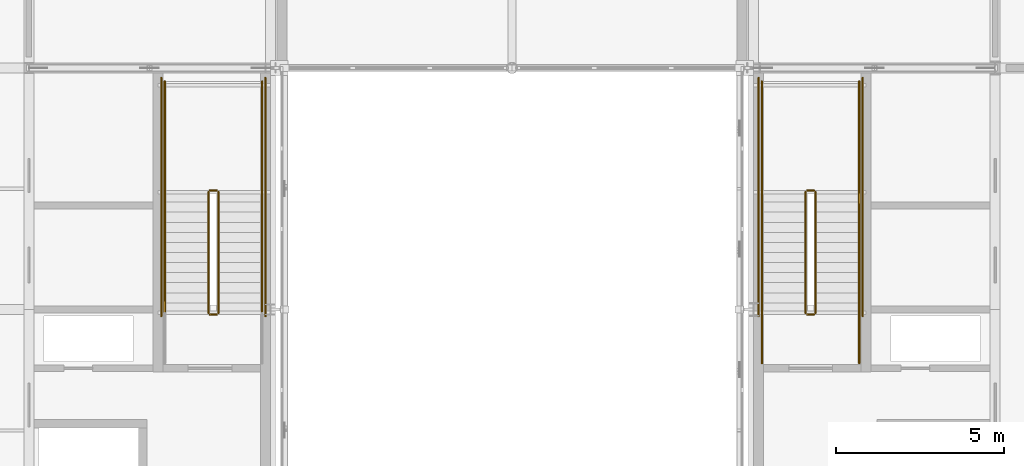
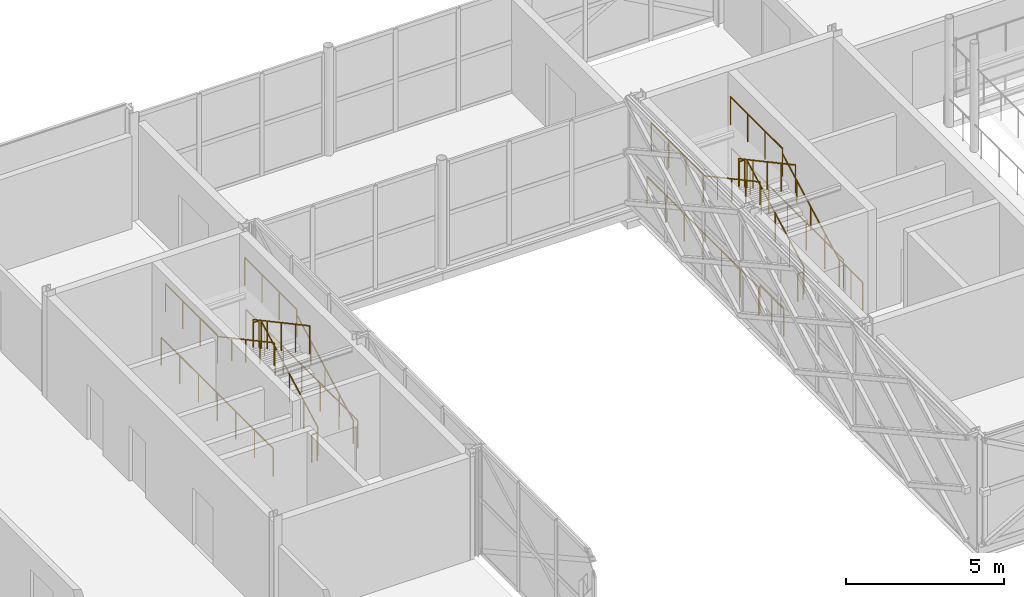
# One storey, part 135 of 146: 22 railings.
"""IFC4 building model written with IfcOpenShell, lengths in metres."""

from ifc_helpers import new_model, si_unit, direction, frame, origin, origin_2d, place, context, subcontext, project, spatial, circle, extrude, material, type_object, element, save


model = new_model("IFC4")

# Units and contexts
model_context = context("Model", 3, precision=1e-05, world=origin(), true_north=direction((0.0, 1.0)))
body_context = subcontext(model_context, "Body", "Model", "MODEL_VIEW")
ifc_project = project(units=[si_unit("LENGTHUNIT", "METRE"), si_unit("AREAUNIT", "SQUARE_METRE"), si_unit("VOLUMEUNIT", "CUBIC_METRE"), si_unit("PLANEANGLEUNIT", "RADIAN"), si_unit("MASSUNIT", "GRAM", prefix="KILO")], contexts=[model_context])

# Site, building, storey
site_placement = place(None, origin())
site = spatial("IfcSite", under=ifc_project, at=site_placement, CompositionType="ELEMENT")
building_placement = place(site_placement, origin())
building = spatial("IfcBuilding", under=site, at=building_placement, Name="Zlatovets Crest Museum", CompositionType="ELEMENT")
storey_placement = place(building_placement, frame((0.0, 0.0, 4.5)))
storey = spatial("IfcBuildingStorey", under=building, at=storey_placement, Name="L01", CompositionType="ELEMENT", Elevation=4.5)

# Railings
ifc_material_1 = material(Name="Painted steel safety guardrail", Category="steel")
railing_type_1 = type_object("IfcRailingType", Name="StairGuard_SG01", PredefinedType="GUARDRAIL", material=ifc_material_1)
railing_1_placement = place(storey_placement, frame((59.449951171875, 14.300048828125, 0.16162109375)))
element("IfcRailing", 1, at=railing_1_placement, inside=storey, type_object=railing_type_1, Name="L01 ST2 stair guard 1", PredefinedType="GUARDRAIL", context=body_context, shape_type="SweptSolid", body=[
    extrude(circle(Radius=0.02392578125, at=origin_2d()), frame((0.0, 0.0, 1.076171875), z_axis=(0.0, 0.880461512865, 0.474117627138), x_axis=(-1.0, 0.0, 0.0)), (0.0, 0.0, 1.0), 4.088623046875),
    extrude(circle(Radius=0.02099609375, at=origin_2d()), origin(), (0.0, 0.0, 1.0), 1.052001953125),
    extrude(circle(Radius=0.02099609375, at=origin_2d()), frame((0.0, 0.89990234375, 0.484619140625)), (0.0, 0.0, 1.0), 1.052001953125),
    extrude(circle(Radius=0.02099609375, at=origin_2d()), frame((0.0, 1.7998046875, 0.96923828125)), (0.0, 0.0, 1.0), 1.052001953125),
    extrude(circle(Radius=0.02099609375, at=origin_2d()), frame((0.0, 2.699951171875, 1.453857421875)), (0.0, 0.0, 1.0), 1.052001953125),
    extrude(circle(Radius=0.02099609375, at=origin_2d()), frame((0.0, 3.599853515625, 1.9384765625)), (0.0, 0.0, 1.0), 1.052001953125),
])
railing_2_placement = place(storey_placement, frame((59.39990234375, 17.949951171875, 2.10009765625)))
element("IfcRailing", 2, at=railing_2_placement, inside=storey, type_object=railing_type_1, Name="L01 ST2 stair guard 2", PredefinedType="GUARDRAIL", context=body_context, shape_type="SweptSolid", body=[
    extrude(circle(Radius=0.02392578125, at=origin_2d()), frame((0.0, 0.0, 1.076171875), z_axis=(-1.0, 0.0, 0.0), x_axis=(0.0, -1.0, 0.0)), (0.0, 0.0, 1.0), 0.199951171875),
    extrude(circle(Radius=0.02099609375, at=origin_2d()), origin(), (0.0, 0.0, 1.0), 1.052001953125),
    extrude(circle(Radius=0.02099609375, at=origin_2d()), frame((-0.199951171875, 0.0, 0.0)), (0.0, 0.0, 1.0), 1.052001953125),
])
for number, where, name in (
    (3, (60.75, 17.89990234375, 2.10009765625), "L01 ST2 stair guard 3"),
    (4, (57.85009765625, 17.89990234375, 2.10009765625), "L01 ST2 stair guard 4"),
):
    element("IfcRailing", number, at=place(storey_placement, frame(where)), inside=storey, type_object=railing_type_1, Name=name, PredefinedType="GUARDRAIL", context=body_context, shape_type="SweptSolid", body=[
        extrude(circle(Radius=0.02392578125, at=origin_2d()), frame((0.0, 0.0, 1.076171875), z_axis=(0.0, 1.0, 0.0), x_axis=(-1.0, 0.0, 0.0)), (0.0, 0.0, 1.0), 3.300048828125),
        extrude(circle(Radius=0.02099609375, at=origin_2d()), origin(), (0.0, 0.0, 1.0), 1.052001953125),
        extrude(circle(Radius=0.02099609375, at=origin_2d()), frame((0.0, 1.10009765625, 0.0)), (0.0, 0.0, 1.0), 1.052001953125),
        extrude(circle(Radius=0.02099609375, at=origin_2d()), frame((0.0, 2.199951171875, 0.0)), (0.0, 0.0, 1.0), 1.052001953125),
        extrude(circle(Radius=0.02099609375, at=origin_2d()), frame((0.0, 3.300048828125, 0.0)), (0.0, 0.0, 1.0), 1.052001953125),
    ])
railing_3_placement = place(storey_placement, frame((59.14990234375, 17.89990234375, 2.261474609375)))
element("IfcRailing", 5, at=railing_3_placement, inside=storey, type_object=railing_type_1, Name="L01 ST2 stair guard 5", PredefinedType="GUARDRAIL", context=body_context, shape_type="SweptSolid", body=[
    extrude(circle(Radius=0.02392578125, at=origin_2d()), frame((0.0, 0.0, 1.076171875), z_axis=(0.0, -0.880461512865, 0.474117627138), x_axis=(1.0, 0.0, 0.0)), (0.0, 0.0, 1.0), 4.088623046875),
    extrude(circle(Radius=0.02099609375, at=origin_2d()), origin(), (0.0, 0.0, 1.0), 1.052001953125),
    extrude(circle(Radius=0.02099609375, at=origin_2d()), frame((0.0, -0.89990234375, 0.484619140625)), (0.0, 0.0, 1.0), 1.052001953125),
    extrude(circle(Radius=0.02099609375, at=origin_2d()), frame((0.0, -1.7998046875, 0.96923828125)), (0.0, 0.0, 1.0), 1.052001953125),
    extrude(circle(Radius=0.02099609375, at=origin_2d()), frame((0.0, -2.699951171875, 1.453857421875)), (0.0, 0.0, 1.0), 1.052001953125),
    extrude(circle(Radius=0.02099609375, at=origin_2d()), frame((0.0, -3.599853515625, 1.9384765625)), (0.0, 0.0, 1.0), 1.052001953125),
])
railing_4_placement = place(storey_placement, frame((59.39990234375, 14.25, 0.0)))
element("IfcRailing", 6, at=railing_4_placement, inside=storey, type_object=railing_type_1, Name="L01 ST2 stair guard 6", PredefinedType="GUARDRAIL", context=body_context, shape_type="SweptSolid", body=[
    extrude(circle(Radius=0.02392578125, at=origin_2d()), frame((0.0, 0.0, 1.076171875), z_axis=(-1.0, 0.0, 0.0), x_axis=(0.0, -1.0, 0.0)), (0.0, 0.0, 1.0), 0.199951171875),
    extrude(circle(Radius=0.02099609375, at=origin_2d()), origin(), (0.0, 0.0, 1.0), 1.052001953125),
    extrude(circle(Radius=0.02099609375, at=origin_2d()), frame((-0.199951171875, 0.0, 0.0)), (0.0, 0.0, 1.0), 1.052001953125),
])
for number, where, name in (
    (7, (60.75, 12.800048828125, 0.0), "L01 ST2 stair guard 7"),
    (8, (57.85009765625, 12.800048828125, 0.0), "L01 ST2 stair guard 8"),
):
    element("IfcRailing", number, at=place(storey_placement, frame(where)), inside=storey, type_object=railing_type_1, Name=name, PredefinedType="GUARDRAIL", context=body_context, shape_type="SweptSolid", body=[
        extrude(circle(Radius=0.02392578125, at=origin_2d()), frame((0.0, 0.0, 1.076171875), z_axis=(0.0, 1.0, 0.0), x_axis=(-1.0, 0.0, 0.0)), (0.0, 0.0, 1.0), 1.5),
        extrude(circle(Radius=0.02099609375, at=origin_2d()), origin(), (0.0, 0.0, 1.0), 1.052001953125),
        extrude(circle(Radius=0.02099609375, at=origin_2d()), frame((0.0, 0.75, 0.0)), (0.0, 0.0, 1.0), 1.052001953125),
        extrude(circle(Radius=0.02099609375, at=origin_2d()), frame((0.0, 1.5, 0.0)), (0.0, 0.0, 1.0), 1.052001953125),
    ])
for number, where, name in (
    (9, (60.85009765625, 14.199951171875, 0.0), "L01 ST2 stair guard 9"),
    (10, (57.75, 14.199951171875, 0.0), "L01 ST2 stair guard 10"),
):
    element("IfcRailing", number, at=place(storey_placement, frame(where)), inside=storey, type_object=railing_type_1, Name=name, PredefinedType="GUARDRAIL", context=body_context, shape_type="SweptSolid", body=[
        extrude(circle(Radius=0.02392578125, at=origin_2d()), frame((0.0, 0.0, 1.076171875), z_axis=(0.0, 1.0, 0.0), x_axis=(-1.0, 0.0, 0.0)), (0.0, 0.0, 1.0), 7.10009765625),
        extrude(circle(Radius=0.02099609375, at=origin_2d()), origin(), (0.0, 0.0, 1.0), 1.052001953125),
        extrude(circle(Radius=0.02099609375, at=origin_2d()), frame((0.0, 1.183349609375, 0.0)), (0.0, 0.0, 1.0), 1.052001953125),
        extrude(circle(Radius=0.02099609375, at=origin_2d()), frame((0.0, 2.36669921875, 0.0)), (0.0, 0.0, 1.0), 1.052001953125),
        extrude(circle(Radius=0.02099609375, at=origin_2d()), frame((0.0, 3.550048828125, 0.0)), (0.0, 0.0, 1.0), 1.052001953125),
        extrude(circle(Radius=0.02099609375, at=origin_2d()), frame((0.0, 4.7333984375, 0.0)), (0.0, 0.0, 1.0), 1.052001953125),
        extrude(circle(Radius=0.02099609375, at=origin_2d()), frame((0.0, 5.916748046875, 0.0)), (0.0, 0.0, 1.0), 1.052001953125),
        extrude(circle(Radius=0.02099609375, at=origin_2d()), frame((0.0, 7.10009765625, 0.0)), (0.0, 0.0, 1.0), 1.052001953125),
    ])
railing_5_placement = place(storey_placement, frame((41.64990234375, 14.300048828125, 0.16162109375)))
element("IfcRailing", 11, at=railing_5_placement, inside=storey, type_object=railing_type_1, Name="L01 ST3 stair guard 1", PredefinedType="GUARDRAIL", context=body_context, shape_type="SweptSolid", body=[
    extrude(circle(Radius=0.02392578125, at=origin_2d()), frame((0.0, 0.0, 1.076171875), z_axis=(0.0, 0.880461512865, 0.474117627138), x_axis=(-1.0, 0.0, 0.0)), (0.0, 0.0, 1.0), 4.088623046875),
    extrude(circle(Radius=0.02099609375, at=origin_2d()), origin(), (0.0, 0.0, 1.0), 1.052001953125),
    extrude(circle(Radius=0.02099609375, at=origin_2d()), frame((0.0, 0.89990234375, 0.484619140625)), (0.0, 0.0, 1.0), 1.052001953125),
    extrude(circle(Radius=0.02099609375, at=origin_2d()), frame((0.0, 1.7998046875, 0.96923828125)), (0.0, 0.0, 1.0), 1.052001953125),
    extrude(circle(Radius=0.02099609375, at=origin_2d()), frame((0.0, 2.699951171875, 1.453857421875)), (0.0, 0.0, 1.0), 1.052001953125),
    extrude(circle(Radius=0.02099609375, at=origin_2d()), frame((0.0, 3.599853515625, 1.9384765625)), (0.0, 0.0, 1.0), 1.052001953125),
])
railing_6_placement = place(storey_placement, frame((41.60009765625, 17.949951171875, 2.10009765625)))
element("IfcRailing", 12, at=railing_6_placement, inside=storey, type_object=railing_type_1, Name="L01 ST3 stair guard 2", PredefinedType="GUARDRAIL", context=body_context, shape_type="SweptSolid", body=[
    extrude(circle(Radius=0.02392578125, at=origin_2d()), frame((0.0, 0.0, 1.076171875), z_axis=(-1.0, 0.0, 0.0), x_axis=(0.0, -1.0, 0.0)), (0.0, 0.0, 1.0), 0.2001953125),
    extrude(circle(Radius=0.02099609375, at=origin_2d()), origin(), (0.0, 0.0, 1.0), 1.052001953125),
    extrude(circle(Radius=0.02099609375, at=origin_2d()), frame((-0.2001953125, 0.0, 0.0)), (0.0, 0.0, 1.0), 1.052001953125),
])
for number, where, name in (
    (13, (42.949951171875, 17.89990234375, 2.10009765625), "L01 ST3 stair guard 3"),
    (14, (40.050048828125, 17.89990234375, 2.10009765625), "L01 ST3 stair guard 4"),
):
    element("IfcRailing", number, at=place(storey_placement, frame(where)), inside=storey, type_object=railing_type_1, Name=name, PredefinedType="GUARDRAIL", context=body_context, shape_type="SweptSolid", body=[
        extrude(circle(Radius=0.02392578125, at=origin_2d()), frame((0.0, 0.0, 1.076171875), z_axis=(0.0, 1.0, 0.0), x_axis=(-1.0, 0.0, 0.0)), (0.0, 0.0, 1.0), 3.300048828125),
        extrude(circle(Radius=0.02099609375, at=origin_2d()), origin(), (0.0, 0.0, 1.0), 1.052001953125),
        extrude(circle(Radius=0.02099609375, at=origin_2d()), frame((0.0, 1.10009765625, 0.0)), (0.0, 0.0, 1.0), 1.052001953125),
        extrude(circle(Radius=0.02099609375, at=origin_2d()), frame((0.0, 2.199951171875, 0.0)), (0.0, 0.0, 1.0), 1.052001953125),
        extrude(circle(Radius=0.02099609375, at=origin_2d()), frame((0.0, 3.300048828125, 0.0)), (0.0, 0.0, 1.0), 1.052001953125),
    ])
railing_7_placement = place(storey_placement, frame((41.35009765625, 17.89990234375, 2.261474609375)))
element("IfcRailing", 15, at=railing_7_placement, inside=storey, type_object=railing_type_1, Name="L01 ST3 stair guard 5", PredefinedType="GUARDRAIL", context=body_context, shape_type="SweptSolid", body=[
    extrude(circle(Radius=0.02392578125, at=origin_2d()), frame((0.0, 0.0, 1.076171875), z_axis=(0.0, -0.880461512865, 0.474117627138), x_axis=(1.0, 0.0, 0.0)), (0.0, 0.0, 1.0), 4.088623046875),
    extrude(circle(Radius=0.02099609375, at=origin_2d()), origin(), (0.0, 0.0, 1.0), 1.052001953125),
    extrude(circle(Radius=0.02099609375, at=origin_2d()), frame((0.0, -0.89990234375, 0.484619140625)), (0.0, 0.0, 1.0), 1.052001953125),
    extrude(circle(Radius=0.02099609375, at=origin_2d()), frame((0.0, -1.7998046875, 0.96923828125)), (0.0, 0.0, 1.0), 1.052001953125),
    extrude(circle(Radius=0.02099609375, at=origin_2d()), frame((0.0, -2.699951171875, 1.453857421875)), (0.0, 0.0, 1.0), 1.052001953125),
    extrude(circle(Radius=0.02099609375, at=origin_2d()), frame((0.0, -3.599853515625, 1.9384765625)), (0.0, 0.0, 1.0), 1.052001953125),
])
railing_8_placement = place(storey_placement, frame((41.60009765625, 14.25, 0.0)))
element("IfcRailing", 16, at=railing_8_placement, inside=storey, type_object=railing_type_1, Name="L01 ST3 stair guard 6", PredefinedType="GUARDRAIL", context=body_context, shape_type="SweptSolid", body=[
    extrude(circle(Radius=0.02392578125, at=origin_2d()), frame((0.0, 0.0, 1.076171875), z_axis=(-1.0, 0.0, 0.0), x_axis=(0.0, -1.0, 0.0)), (0.0, 0.0, 1.0), 0.2001953125),
    extrude(circle(Radius=0.02099609375, at=origin_2d()), origin(), (0.0, 0.0, 1.0), 1.052001953125),
    extrude(circle(Radius=0.02099609375, at=origin_2d()), frame((-0.2001953125, 0.0, 0.0)), (0.0, 0.0, 1.0), 1.052001953125),
])
for number, where, name in (
    (17, (43.050048828125, 14.199951171875, 0.0), "L01 ST3 stair guard 9"),
    (18, (39.949951171875, 14.199951171875, 0.0), "L01 ST3 stair guard 10"),
):
    element("IfcRailing", number, at=place(storey_placement, frame(where)), inside=storey, type_object=railing_type_1, Name=name, PredefinedType="GUARDRAIL", context=body_context, shape_type="SweptSolid", body=[
        extrude(circle(Radius=0.02392578125, at=origin_2d()), frame((0.0, 0.0, 1.076171875), z_axis=(0.0, 1.0, 0.0), x_axis=(-1.0, 0.0, 0.0)), (0.0, 0.0, 1.0), 7.10009765625),
        extrude(circle(Radius=0.02099609375, at=origin_2d()), origin(), (0.0, 0.0, 1.0), 1.052001953125),
        extrude(circle(Radius=0.02099609375, at=origin_2d()), frame((0.0, 1.183349609375, 0.0)), (0.0, 0.0, 1.0), 1.052001953125),
        extrude(circle(Radius=0.02099609375, at=origin_2d()), frame((0.0, 2.36669921875, 0.0)), (0.0, 0.0, 1.0), 1.052001953125),
        extrude(circle(Radius=0.02099609375, at=origin_2d()), frame((0.0, 3.550048828125, 0.0)), (0.0, 0.0, 1.0), 1.052001953125),
        extrude(circle(Radius=0.02099609375, at=origin_2d()), frame((0.0, 4.7333984375, 0.0)), (0.0, 0.0, 1.0), 1.052001953125),
        extrude(circle(Radius=0.02099609375, at=origin_2d()), frame((0.0, 5.916748046875, 0.0)), (0.0, 0.0, 1.0), 1.052001953125),
        extrude(circle(Radius=0.02099609375, at=origin_2d()), frame((0.0, 7.10009765625, 0.0)), (0.0, 0.0, 1.0), 1.052001953125),
    ])
ifc_material_2 = material(Name="Brushed bronze stair handrail")
railing_type_2 = type_object("IfcRailingType", Name="StairHandrail_SH01", PredefinedType="HANDRAIL", material=ifc_material_2)
railing_9_placement = place(storey_placement, frame((60.75, 14.300048828125, 0.16162109375)))
element("IfcRailing", 19, at=railing_9_placement, inside=storey, type_object=railing_type_2, Name="L01 ST2 stair handrail 1", PredefinedType="HANDRAIL", context=body_context, shape_type="SweptSolid", body=[
    extrude(circle(Radius=0.02392578125, at=origin_2d()), frame((0.0, 0.0, 0.8759765625), z_axis=(0.0, 0.880461512865, 0.474117627138), x_axis=(-1.0, 0.0, 0.0)), (0.0, 0.0, 1.0), 4.088623046875),
    extrude(circle(Radius=0.02099609375, at=origin_2d()), origin(), (0.0, 0.0, 1.0), 0.851806640625),
    extrude(circle(Radius=0.02099609375, at=origin_2d()), frame((0.0, 0.89990234375, 0.484619140625)), (0.0, 0.0, 1.0), 0.851806640625),
    extrude(circle(Radius=0.02099609375, at=origin_2d()), frame((0.0, 1.7998046875, 0.96923828125)), (0.0, 0.0, 1.0), 0.851806640625),
    extrude(circle(Radius=0.02099609375, at=origin_2d()), frame((0.0, 2.699951171875, 1.453857421875)), (0.0, 0.0, 1.0), 0.851806640625),
    extrude(circle(Radius=0.02099609375, at=origin_2d()), frame((0.0, 3.599853515625, 1.9384765625)), (0.0, 0.0, 1.0), 0.851806640625),
])
railing_10_placement = place(storey_placement, frame((57.85009765625, 17.89990234375, 2.261474609375)))
element("IfcRailing", 20, at=railing_10_placement, inside=storey, type_object=railing_type_2, Name="L01 ST2 stair handrail 2", PredefinedType="HANDRAIL", context=body_context, shape_type="SweptSolid", body=[
    extrude(circle(Radius=0.02392578125, at=origin_2d()), frame((0.0, 0.0, 0.8759765625), z_axis=(0.0, -0.880461512865, 0.474117627138), x_axis=(1.0, 0.0, 0.0)), (0.0, 0.0, 1.0), 4.088623046875),
    extrude(circle(Radius=0.02099609375, at=origin_2d()), origin(), (0.0, 0.0, 1.0), 0.851806640625),
    extrude(circle(Radius=0.02099609375, at=origin_2d()), frame((0.0, -0.89990234375, 0.484619140625)), (0.0, 0.0, 1.0), 0.851806640625),
    extrude(circle(Radius=0.02099609375, at=origin_2d()), frame((0.0, -1.7998046875, 0.96923828125)), (0.0, 0.0, 1.0), 0.851806640625),
    extrude(circle(Radius=0.02099609375, at=origin_2d()), frame((0.0, -2.699951171875, 1.453857421875)), (0.0, 0.0, 1.0), 0.851806640625),
    extrude(circle(Radius=0.02099609375, at=origin_2d()), frame((0.0, -3.599853515625, 1.9384765625)), (0.0, 0.0, 1.0), 0.851806640625),
])
railing_11_placement = place(storey_placement, frame((42.949951171875, 14.300048828125, 0.16162109375)))
element("IfcRailing", 21, at=railing_11_placement, inside=storey, type_object=railing_type_2, Name="L01 ST3 stair handrail 1", PredefinedType="HANDRAIL", context=body_context, shape_type="SweptSolid", body=[
    extrude(circle(Radius=0.02392578125, at=origin_2d()), frame((0.0, 0.0, 0.8759765625), z_axis=(0.0, 0.880461512865, 0.474117627138), x_axis=(-1.0, 0.0, 0.0)), (0.0, 0.0, 1.0), 4.088623046875),
    extrude(circle(Radius=0.02099609375, at=origin_2d()), origin(), (0.0, 0.0, 1.0), 0.851806640625),
    extrude(circle(Radius=0.02099609375, at=origin_2d()), frame((0.0, 0.89990234375, 0.484619140625)), (0.0, 0.0, 1.0), 0.851806640625),
    extrude(circle(Radius=0.02099609375, at=origin_2d()), frame((0.0, 1.7998046875, 0.96923828125)), (0.0, 0.0, 1.0), 0.851806640625),
    extrude(circle(Radius=0.02099609375, at=origin_2d()), frame((0.0, 2.699951171875, 1.453857421875)), (0.0, 0.0, 1.0), 0.851806640625),
    extrude(circle(Radius=0.02099609375, at=origin_2d()), frame((0.0, 3.599853515625, 1.9384765625)), (0.0, 0.0, 1.0), 0.851806640625),
])
railing_12_placement = place(storey_placement, frame((40.050048828125, 17.89990234375, 2.261474609375)))
element("IfcRailing", 22, at=railing_12_placement, inside=storey, type_object=railing_type_2, Name="L01 ST3 stair handrail 2", PredefinedType="HANDRAIL", context=body_context, shape_type="SweptSolid", body=[
    extrude(circle(Radius=0.02392578125, at=origin_2d()), frame((0.0, 0.0, 0.8759765625), z_axis=(0.0, -0.880461512865, 0.474117627138), x_axis=(1.0, 0.0, 0.0)), (0.0, 0.0, 1.0), 4.088623046875),
    extrude(circle(Radius=0.02099609375, at=origin_2d()), origin(), (0.0, 0.0, 1.0), 0.851806640625),
    extrude(circle(Radius=0.02099609375, at=origin_2d()), frame((0.0, -0.89990234375, 0.484619140625)), (0.0, 0.0, 1.0), 0.851806640625),
    extrude(circle(Radius=0.02099609375, at=origin_2d()), frame((0.0, -1.7998046875, 0.96923828125)), (0.0, 0.0, 1.0), 0.851806640625),
    extrude(circle(Radius=0.02099609375, at=origin_2d()), frame((0.0, -2.699951171875, 1.453857421875)), (0.0, 0.0, 1.0), 0.851806640625),
    extrude(circle(Radius=0.02099609375, at=origin_2d()), frame((0.0, -3.599853515625, 1.9384765625)), (0.0, 0.0, 1.0), 0.851806640625),
])

save(model, "model.ifc")
